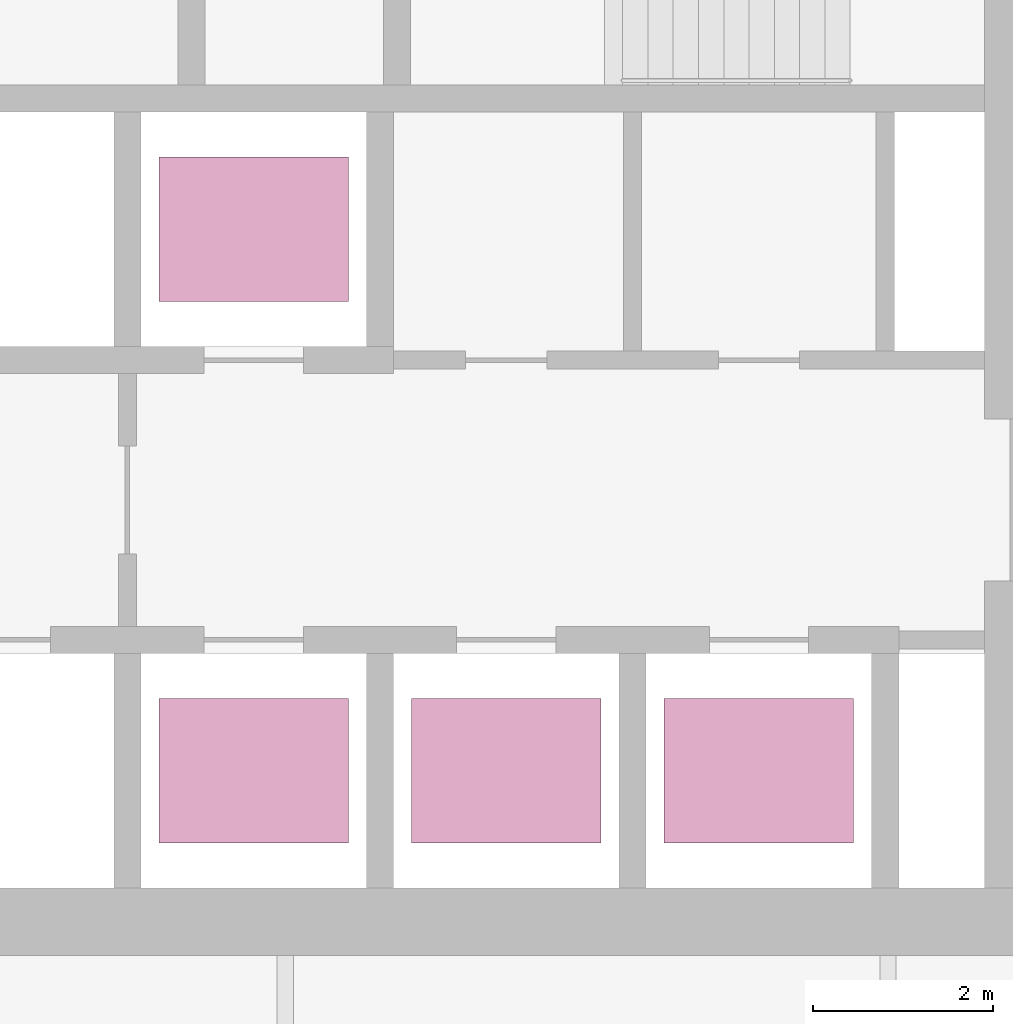
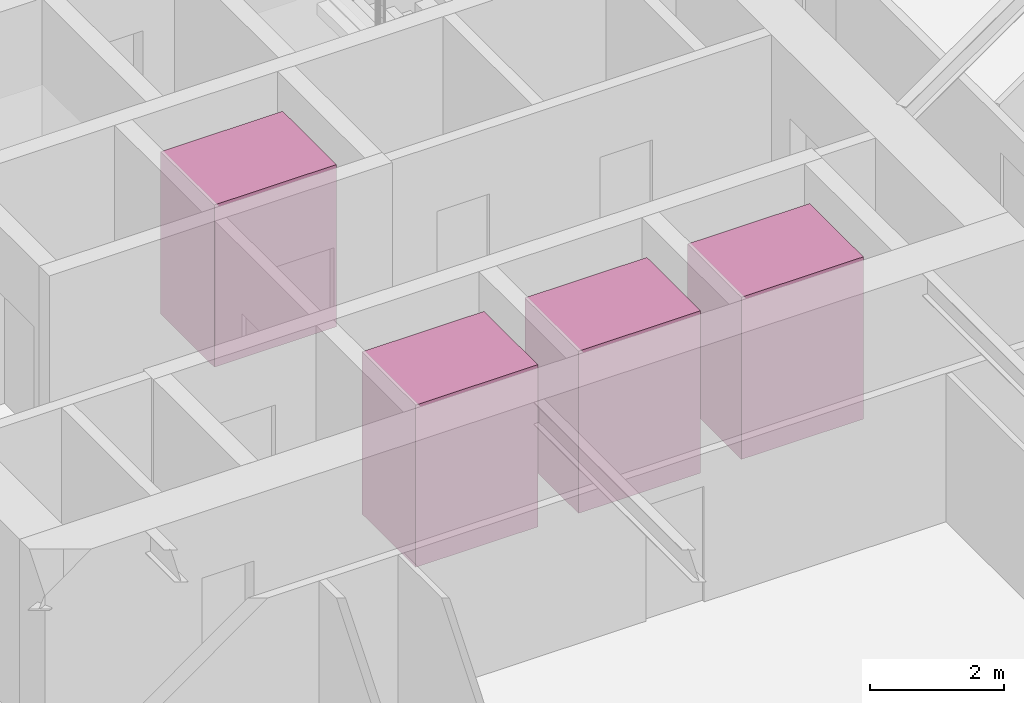
# One storey, part 23 of 24: 4 transport elements.
"""IFC4 building model written with IfcOpenShell, lengths in metres."""

from ifc_helpers import new_model, si_unit, direction, frame, origin, origin_2d, place, context, subcontext, project, spatial, rectangle, extrude, material, type_object, element, save


model = new_model("IFC4")

# Units and contexts
model_context = context("Model", 3, precision=1e-05, world=origin(), true_north=direction((0.0, 1.0)))
body_context = subcontext(model_context, "Body", "Model", "MODEL_VIEW")
ifc_project = project(units=[si_unit("LENGTHUNIT", "METRE"), si_unit("AREAUNIT", "SQUARE_METRE"), si_unit("VOLUMEUNIT", "CUBIC_METRE"), si_unit("PLANEANGLEUNIT", "RADIAN"), si_unit("MASSUNIT", "GRAM", prefix="KILO")], contexts=[model_context])

# Site, building, storey
site_placement = place(None, origin())
site = spatial("IfcSite", under=ifc_project, at=site_placement, CompositionType="ELEMENT")
building_placement = place(site_placement, origin())
building = spatial("IfcBuilding", under=site, at=building_placement, Name="Firuza Gate Tower and Library", CompositionType="ELEMENT")
storey_placement = place(building_placement, frame((0.0, 0.0, 267.10009765625)))
storey = spatial("IfcBuildingStorey", under=building, at=storey_placement, Name="L63", CompositionType="ELEMENT", Elevation=267.10009765625)

# Transport elements
ifc_material = material(Name="Stainless steel and glass", Category="steel")
transport_element_type = type_object("IfcTransportElementType", Name="High-rise lift car 2100x1600", PredefinedType="ELEVATOR", material=ifc_material)
for number, where, z_axis, x_axis, name in (
    (1, (74.64990234375, 70.300048828125, 0.0), (0.0, 0.0, 1.0), (1.0, 0.0, 0.0), "High-rise lift HR1"),
    (2, (77.449951171875, 70.300048828125, 0.0), (0.0, 0.0, 1.0), (1.0, 0.0, 0.0), "High-rise lift HR2"),
    (3, (80.25, 70.300048828125, 0.0), (0.0, 0.0, 1.0), (1.0, 0.0, 0.0), "High-rise lift HR3"),
    (4, (74.64990234375, 76.300048828125, 0.0), (0.0, 0.0, 1.0), (1.0, 0.0, 0.0), "High-rise lift HR4"),
):
    element("IfcTransportElement", number, at=place(storey_placement, frame(where, z_axis=z_axis, x_axis=x_axis)), inside=storey, type_object=transport_element_type, Name=name, PredefinedType="ELEVATOR", context=body_context, shape_type="SweptSolid", body=[
        extrude(rectangle(XDim=2.10009765625, YDim=1.60009765625, at=origin_2d()), origin(), (0.0, 0.0, 1.0), 2.949951171875),
    ])

save(model, "model.ifc")
